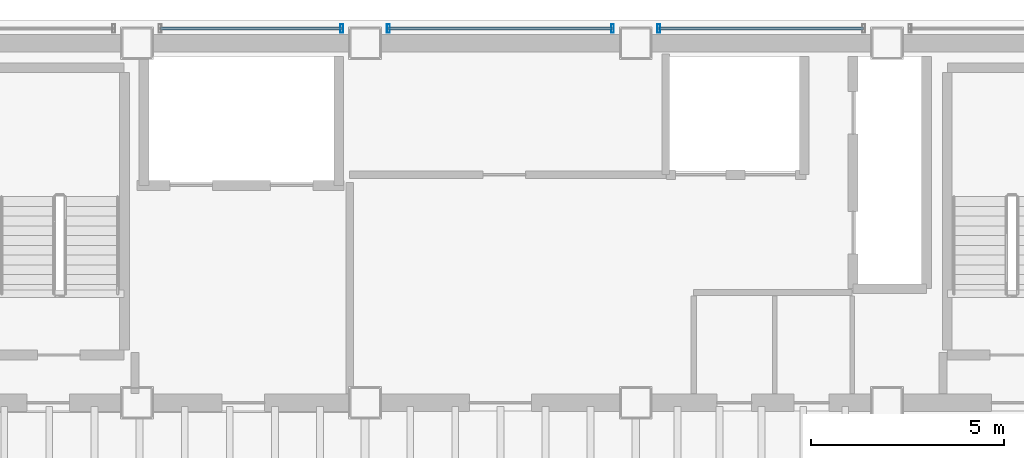
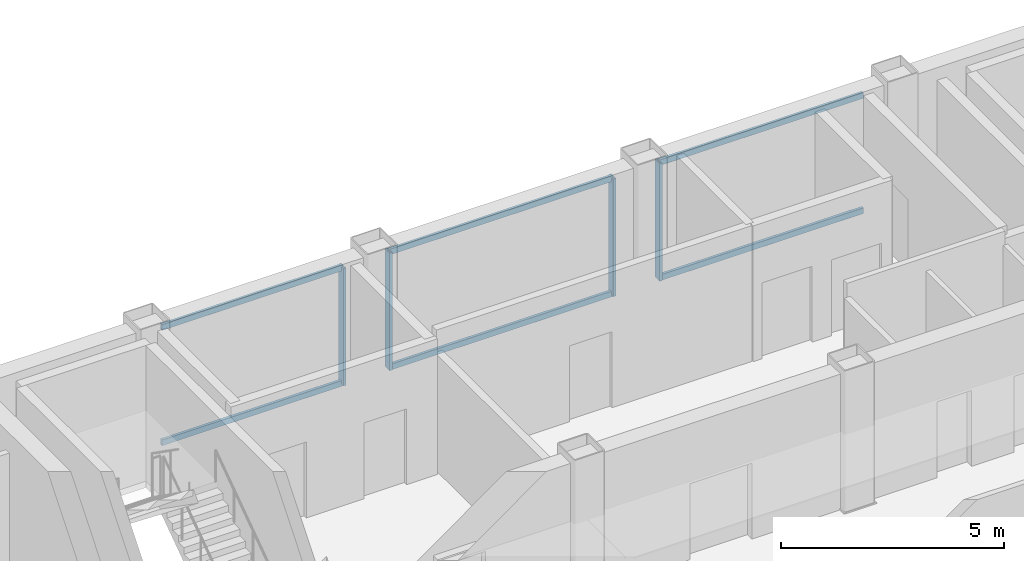
# One storey, part 9 of 16: 10 members, 3 elements without a shape of their own.
"""IFC4 building model written with IfcOpenShell, lengths in metres."""

from ifc_helpers import new_model, si_unit, direction, frame, origin, origin_2d, place, context, subcontext, project, spatial, hollow_rectangle, extrude, material, material_profile, profile_set, type_object, element, aggregate, save


model = new_model("IFC4")

# Units and contexts
model_context = context("Model", 3, precision=1e-05, world=origin(), true_north=direction((0.0, 1.0)))
body_context = subcontext(model_context, "Body", "Model", "MODEL_VIEW")
ifc_project = project(units=[si_unit("LENGTHUNIT", "METRE"), si_unit("AREAUNIT", "SQUARE_METRE"), si_unit("VOLUMEUNIT", "CUBIC_METRE"), si_unit("PLANEANGLEUNIT", "RADIAN"), si_unit("MASSUNIT", "GRAM", prefix="KILO")], contexts=[model_context])

# Site, building, storey
site_placement = place(None, origin())
site = spatial("IfcSite", under=ifc_project, at=site_placement, CompositionType="ELEMENT")
building_placement = place(site_placement, origin())
building = spatial("IfcBuilding", under=site, at=building_placement, Name="Noeulbin Bourse Tower", CompositionType="ELEMENT")
storey_placement = place(building_placement, frame((0.0, 0.0, 238.39990234375)))
storey = spatial("IfcBuildingStorey", under=building, at=storey_placement, Name="L59", CompositionType="ELEMENT", Elevation=238.39990234375)

# Curtain wall, member
ifc_material_1 = material(Name="High-Selectivity Low-Iron Glazing", Category="glass")
curtain_wall_type = type_object("IfcCurtainWallType", Name="CW-SYS-4", PredefinedType="NOTDEFINED", material=ifc_material_1)
curtain_wall_1_placement = place(storey_placement, origin())
curtain_wall_1 = element("IfcCurtainWall", 1, at=curtain_wall_1_placement, inside=storey, type_object=curtain_wall_type, Name="Unitised Curtain Wall CW-L59-N-S3", PredefinedType="NOTDEFINED")
ifc_material_2 = material(Name="Anodised Aluminium 6063-T6", Category="aluminium")
ifc_material_profile_1 = material_profile(ifc_material_2, hollow_rectangle(XDim=0.074951171875, YDim=0.219970703125, WallThickness=0.0048828125, InnerFilletRadius=0.00244140625, OuterFilletRadius=0.0048828125, at=origin_2d()), Name="ALU-MULL-75x220x5", Category="LoadBearing")
ifc_profile_set_1 = profile_set([ifc_material_profile_1], Name="Anodised Aluminium 6063-T6")
member_type_1 = type_object("IfcMemberType", Name="CW-SYS-4-MUL", PredefinedType="MULLION", material=ifc_profile_set_1)
member_1_placement = place(storey_placement, frame((23.39990234375, 38.679931640625, -0.02001953125), z_axis=(0.0, 0.0, 1.0), x_axis=(1.0, 0.0, 0.0)))
member_1 = element("IfcMember", 2, at=member_1_placement, type_object=member_type_1, Name="Curtain Wall Mullion CW-L59-N-S3-M01", PredefinedType="MULLION", context=body_context, shape_type="SweptSolid", body=[
    extrude(hollow_rectangle(XDim=0.074951171875, YDim=0.219970703125, WallThickness=0.0048828125, InnerFilletRadius=0.00244140625, OuterFilletRadius=0.0048828125, at=origin_2d()), origin(), (0.0, 0.0, 1.0), 3.22021484375),
])

# Curtain wall, members
curtain_wall_2_placement = place(storey_placement, origin())
curtain_wall_2 = element("IfcCurtainWall", 3, at=curtain_wall_2_placement, inside=storey, type_object=curtain_wall_type, Name="Unitised Curtain Wall CW-L59-N-S4", PredefinedType="NOTDEFINED")
member_2_placement = place(storey_placement, frame((24.60009765625, 38.679931640625, -0.02001953125), z_axis=(0.0, 0.0, 1.0), x_axis=(1.0, 0.0, 0.0)))
member_2 = element("IfcMember", 4, at=member_2_placement, type_object=member_type_1, Name="Curtain Wall Mullion CW-L59-N-S4-M00", PredefinedType="MULLION", context=body_context, shape_type="SweptSolid", body=[
    extrude(hollow_rectangle(XDim=0.074951171875, YDim=0.219970703125, WallThickness=0.0048828125, InnerFilletRadius=0.00244140625, OuterFilletRadius=0.0048828125, at=origin_2d()), origin(), (0.0, 0.0, 1.0), 3.22021484375),
])
member_3_placement = place(storey_placement, frame((30.39990234375, 38.679931640625, -0.02001953125), z_axis=(0.0, 0.0, 1.0), x_axis=(1.0, 0.0, 0.0)))
member_3 = element("IfcMember", 5, at=member_3_placement, type_object=member_type_1, Name="Curtain Wall Mullion CW-L59-N-S4-M01", PredefinedType="MULLION", context=body_context, shape_type="SweptSolid", body=[
    extrude(hollow_rectangle(XDim=0.074951171875, YDim=0.219970703125, WallThickness=0.0048828125, InnerFilletRadius=0.00244140625, OuterFilletRadius=0.0048828125, at=origin_2d()), origin(), (0.0, 0.0, 1.0), 3.22021484375),
])

# Curtain wall, member
curtain_wall_3_placement = place(storey_placement, origin())
curtain_wall_3 = element("IfcCurtainWall", 6, at=curtain_wall_3_placement, inside=storey, type_object=curtain_wall_type, Name="Unitised Curtain Wall CW-L59-N-S5", PredefinedType="NOTDEFINED")
member_4_placement = place(storey_placement, frame((31.60009765625, 38.679931640625, -0.02001953125), z_axis=(0.0, 0.0, 1.0), x_axis=(1.0, 0.0, 0.0)))
member_4 = element("IfcMember", 7, at=member_4_placement, type_object=member_type_1, Name="Curtain Wall Mullion CW-L59-N-S5-M00", PredefinedType="MULLION", context=body_context, shape_type="SweptSolid", body=[
    extrude(hollow_rectangle(XDim=0.074951171875, YDim=0.219970703125, WallThickness=0.0048828125, InnerFilletRadius=0.00244140625, OuterFilletRadius=0.0048828125, at=origin_2d()), origin(), (0.0, 0.0, 1.0), 3.22021484375),
])

# Member
ifc_material_profile_2 = material_profile(ifc_material_2, hollow_rectangle(XDim=0.074951171875, YDim=0.159912109375, WallThickness=0.0048828125, InnerFilletRadius=0.00244140625, OuterFilletRadius=0.0048828125, at=origin_2d()), Name="ALU-TRAN-75x160x5", Category="LoadBearing")
ifc_profile_set_2 = profile_set([ifc_material_profile_2], Name="Anodised Aluminium 6063-T6")
member_type_2 = type_object("IfcMemberType", Name="CW-SYS-4-TRN", PredefinedType="USERDEFINED", material=ifc_profile_set_2)
member_5_placement = place(storey_placement, frame((18.7099609375, 38.679931640625, 0.010009765625), z_axis=(1.0, 0.0, 0.0), x_axis=(0.0, 1.0, 0.0)))
member_5 = element("IfcMember", 8, at=member_5_placement, type_object=member_type_2, Name="Curtain Wall Transom CW-L59-N-S3-T00", ObjectType="TRANSOM", PredefinedType="USERDEFINED", context=body_context, shape_type="SweptSolid", body=[
    extrude(hollow_rectangle(XDim=0.074951171875, YDim=0.159912109375, WallThickness=0.0048828125, InnerFilletRadius=0.00244140625, OuterFilletRadius=0.0048828125, at=origin_2d()), origin(), (0.0, 0.0, 1.0), 4.679931640625),
])

member_6_placement = place(storey_placement, frame((18.7099609375, 38.679931640625, 3.170166015625), z_axis=(1.0, 0.0, 0.0), x_axis=(0.0, 1.0, 0.0)))
member_6 = element("IfcMember", 9, at=member_6_placement, type_object=member_type_2, Name="Curtain Wall Transom CW-L59-N-S3-T01", ObjectType="TRANSOM", PredefinedType="USERDEFINED", context=body_context, shape_type="SweptSolid", body=[
    extrude(hollow_rectangle(XDim=0.074951171875, YDim=0.159912109375, WallThickness=0.0048828125, InnerFilletRadius=0.00244140625, OuterFilletRadius=0.0048828125, at=origin_2d()), origin(), (0.0, 0.0, 1.0), 4.679931640625),
])

aggregate(curtain_wall_1, [member_1, member_5, member_6])

member_7_placement = place(storey_placement, frame((24.610107421875, 38.679931640625, 0.010009765625), z_axis=(1.0, 0.0, 0.0), x_axis=(0.0, 1.0, 0.0)))
member_7 = element("IfcMember", 10, at=member_7_placement, type_object=member_type_2, Name="Curtain Wall Transom CW-L59-N-S4-T00", ObjectType="TRANSOM", PredefinedType="USERDEFINED", context=body_context, shape_type="SweptSolid", body=[
    extrude(hollow_rectangle(XDim=0.074951171875, YDim=0.159912109375, WallThickness=0.0048828125, InnerFilletRadius=0.00244140625, OuterFilletRadius=0.0048828125, at=origin_2d()), origin(), (0.0, 0.0, 1.0), 5.77978515625),
])

member_8_placement = place(storey_placement, frame((24.610107421875, 38.679931640625, 3.170166015625), z_axis=(1.0, 0.0, 0.0), x_axis=(0.0, 1.0, 0.0)))
member_8 = element("IfcMember", 11, at=member_8_placement, type_object=member_type_2, Name="Curtain Wall Transom CW-L59-N-S4-T01", ObjectType="TRANSOM", PredefinedType="USERDEFINED", context=body_context, shape_type="SweptSolid", body=[
    extrude(hollow_rectangle(XDim=0.074951171875, YDim=0.159912109375, WallThickness=0.0048828125, InnerFilletRadius=0.00244140625, OuterFilletRadius=0.0048828125, at=origin_2d()), origin(), (0.0, 0.0, 1.0), 5.77978515625),
])

aggregate(curtain_wall_2, [member_2, member_3, member_7, member_8])

member_9_placement = place(storey_placement, frame((31.610107421875, 38.679931640625, 0.010009765625), z_axis=(1.0, 0.0, 0.0), x_axis=(0.0, 1.0, 0.0)))
member_9 = element("IfcMember", 12, at=member_9_placement, type_object=member_type_2, Name="Curtain Wall Transom CW-L59-N-S5-T00", ObjectType="TRANSOM", PredefinedType="USERDEFINED", context=body_context, shape_type="SweptSolid", body=[
    extrude(hollow_rectangle(XDim=0.074951171875, YDim=0.159912109375, WallThickness=0.0048828125, InnerFilletRadius=0.00244140625, OuterFilletRadius=0.0048828125, at=origin_2d()), origin(), (0.0, 0.0, 1.0), 5.27978515625),
])

member_10_placement = place(storey_placement, frame((31.610107421875, 38.679931640625, 3.170166015625), z_axis=(1.0, 0.0, 0.0), x_axis=(0.0, 1.0, 0.0)))
member_10 = element("IfcMember", 13, at=member_10_placement, type_object=member_type_2, Name="Curtain Wall Transom CW-L59-N-S5-T01", ObjectType="TRANSOM", PredefinedType="USERDEFINED", context=body_context, shape_type="SweptSolid", body=[
    extrude(hollow_rectangle(XDim=0.074951171875, YDim=0.159912109375, WallThickness=0.0048828125, InnerFilletRadius=0.00244140625, OuterFilletRadius=0.0048828125, at=origin_2d()), origin(), (0.0, 0.0, 1.0), 5.27978515625),
])

aggregate(curtain_wall_3, [member_4, member_9, member_10])

save(model, "model.ifc")
